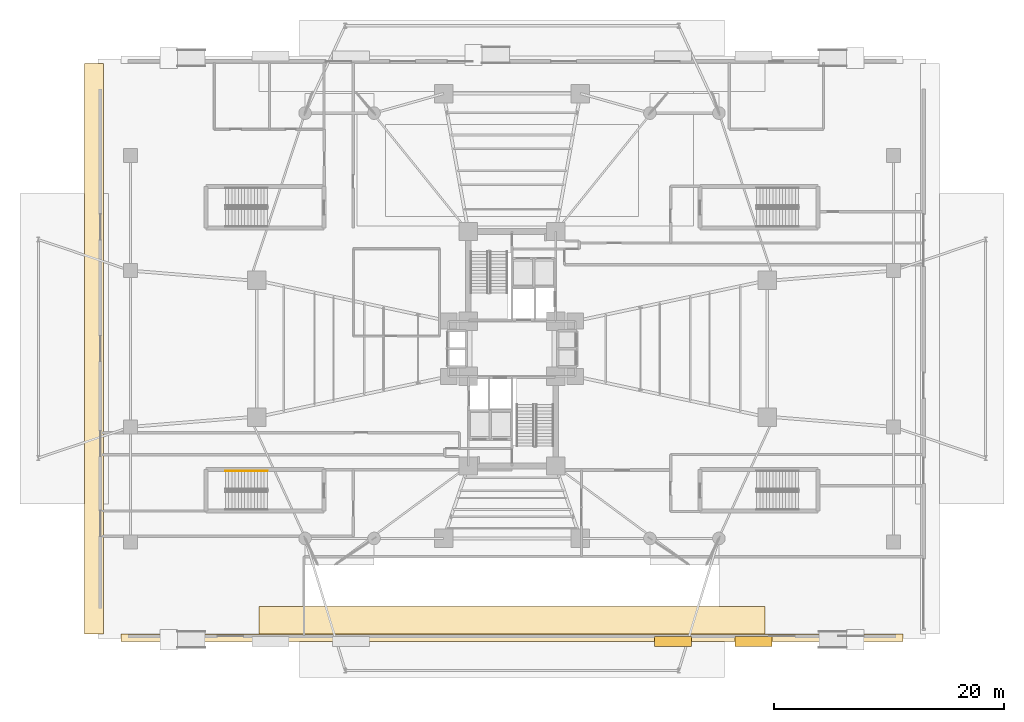
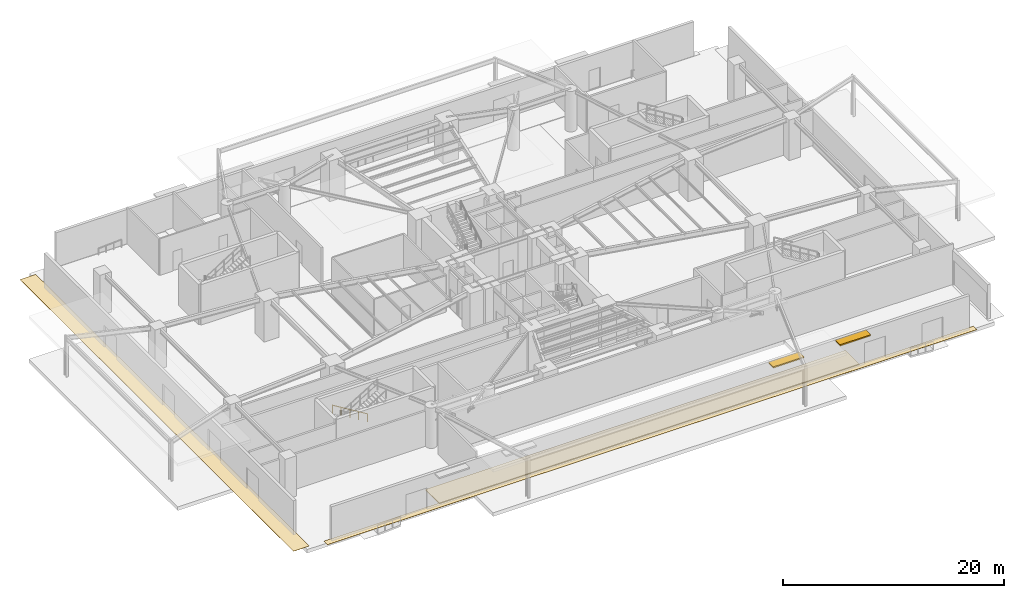
# One storey, part 23 of 31: 3 coverings, 2 shading devices, 1 railing.
"""IFC4 building model written with IfcOpenShell, lengths in metres."""

from ifc_helpers import new_model, si_unit, direction, frame, origin, origin_2d, place, context, subcontext, project, spatial, polyline, rectangle, circle, outline, extrude, source, transform, mapped, material, layer, layer_set, type_object, element, save


model = new_model("IFC4")

# Units and contexts
model_context = context("Model", 3, precision=1e-05, world=origin(), true_north=direction((0.0, 1.0)))
body_context = subcontext(model_context, "Body", "Model", "MODEL_VIEW")
ifc_project = project(units=[si_unit("LENGTHUNIT", "METRE"), si_unit("AREAUNIT", "SQUARE_METRE"), si_unit("VOLUMEUNIT", "CUBIC_METRE"), si_unit("PLANEANGLEUNIT", "RADIAN"), si_unit("MASSUNIT", "GRAM", prefix="KILO")], contexts=[model_context])

# Site, building, storey
site_placement = place(None, origin())
site = spatial("IfcSite", under=ifc_project, at=site_placement, CompositionType="ELEMENT")
building_placement = place(site_placement, origin())
building = spatial("IfcBuilding", under=site, at=building_placement, Name="Sahyath Konkavel Grand Hotel", CompositionType="ELEMENT")
storey_placement = place(building_placement, origin())
storey = spatial("IfcBuildingStorey", under=building, at=storey_placement, Name="L00", CompositionType="ELEMENT", Elevation=0.0)

# Coverings
ifc_material_1 = material(Name="Honed Deccan Basalt and Warm Sandstone Flooring", Category="masonry")
ifc_layer_1 = layer(ifc_material_1, 0.02001953125)
ifc_layer_set_1 = layer_set([ifc_layer_1], Name="Honed Deccan Basalt and Warm Sandstone Flooring")
covering_type_1 = type_object("IfcCoveringType", Name="COV-STONE-FLR", PredefinedType="FLOORING", material=ifc_layer_set_1)
covering_1_placement = place(storey_placement, frame((0.0, 0.0, -0.02001953125)))
element("IfcCovering", 1, at=covering_1_placement, inside=storey, type_object=covering_type_1, Name="L00 Exterior Sandstone Exit Apron South-Threshold", PredefinedType="FLOORING", context=body_context, shape_type="SweptSolid", body=[
    extrude(outline(polyline([(-34.0, -25.449951171875), (34.0, -25.449951171875), (34.0, -24.800048828125), (-34.0, -24.800048828125), (-34.0, -25.449951171875)])), origin(), (0.0, 0.0, 1.0), 0.02001953125),
])
covering_2_placement = place(storey_placement, frame((0.0, 0.0, -0.02001953125)))
element("IfcCovering", 2, at=covering_2_placement, inside=storey, type_object=covering_type_1, Name="L00 Exterior Sandstone Exit Apron West-Apron", PredefinedType="FLOORING", context=body_context, shape_type="SweptSolid", body=[
    extrude(outline(polyline([(-37.199951171875, -24.800048828125), (-35.550048828125, -24.800048828125), (-35.550048828125, 24.800048828125), (-37.199951171875, 24.800048828125), (-37.199951171875, -24.800048828125)])), origin(), (0.0, 0.0, 1.0), 0.02001953125),
])

# Railing
ifc_material_2 = material(Name="Anodised Bronze Aluminium", Category="aluminium")
railing_type = type_object("IfcRailingType", Name="RLG-STAIR-HND", PredefinedType="HANDRAIL", material=ifc_material_2)
railing_placement = place(storey_placement, frame((-21.2900390625, -10.6298828125, 0.17138671875)))
element("IfcRailing", 3, at=railing_placement, inside=storey, type_object=railing_type, Name="L00 ST-P3 stair handrail 1", PredefinedType="HANDRAIL", context=body_context, shape_type="SweptSolid", body=[
    extrude(circle(Radius=0.02392578125, at=origin_2d()), frame((-0.001708984375, 0.0, 0.876953125), z_axis=(-0.852850264322, 0.0, 0.5221555579), x_axis=(0.0, -1.0, 0.0)), (0.0, 0.0, 1.0), 4.263916015625),
    extrude(circle(Radius=0.02099609375, at=origin_2d()), origin(), (0.0, 0.0, 1.0), 0.851806640625),
    extrude(circle(Radius=0.02099609375, at=origin_2d()), frame((-0.909912109375, 0.0, 0.55712890625)), (0.0, 0.0, 1.0), 0.851806640625),
    extrude(circle(Radius=0.02099609375, at=origin_2d()), frame((-1.81982421875, 0.0, 1.1142578125)), (0.0, 0.0, 1.0), 0.851806640625),
    extrude(circle(Radius=0.02099609375, at=origin_2d()), frame((-2.72998046875, 0.0, 1.67138671875)), (0.0, 0.0, 1.0), 0.851806640625),
    extrude(circle(Radius=0.02099609375, at=origin_2d()), frame((-3.639892578125, 0.0, 2.228515625)), (0.0, 0.0, 1.0), 0.851806640625),
])

# Covering
ifc_material_3 = material(Name="Warm Buff Sandstone Paving", Category="masonry")
ifc_layer_2 = layer(ifc_material_3, 0.06005859375)
ifc_layer_set_2 = layer_set([ifc_layer_2], Name="Warm Buff Sandstone Paving")
covering_type_2 = type_object("IfcCoveringType", Name="SLB-PLAZA-PAVING", PredefinedType="FLOORING", material=ifc_layer_set_2)
covering_3_placement = place(storey_placement, origin())
element("IfcCovering", 4, at=covering_3_placement, inside=storey, type_object=covering_type_2, Name="Station Forecourt Sandstone Plaza South-Forecourt", PredefinedType="FLOORING", context=body_context, shape_type="SweptSolid", body=[
    extrude(outline(polyline([(-22.0, -24.89990234375), (22.0, -24.89990234375), (22.0, -22.39990234375), (-22.0, -22.39990234375), (-22.0, -24.89990234375)])), origin(), (0.0, 0.0, 1.0), 0.06005859375),
])

# Shading devices
ifc_material_4 = material(Name="Warm Buff Sandstone Cladding", Category="masonry")
ifc_layer_3 = layer(ifc_material_4, 0.139892578125)
ifc_layer_set_3 = layer_set([ifc_layer_3], Name="Warm Buff Sandstone Cladding")
shading_device_type = type_object("IfcShadingDeviceType", Name="SHD-STONE-BROW", PredefinedType="AWNING", material=ifc_layer_set_3)
shared_shape = source(origin(), body_context, "Body", "SweptSolid", [
    extrude(rectangle(XDim=3.199951171875, YDim=0.89990234375, at=origin_2d()), origin(), (0.0, 0.0, 1.0), 0.139892578125),
])
for number, where, z_axis, x_axis, name in (
    (5, (14.0, -25.469970703125, 3.580078125), (0.0, 0.0, 1.0), (1.0, 0.0, 0.0), "L00 Sandstone Solar Overhang 3-S"),
    (6, (21.0, -25.469970703125, 3.580078125), (0.0, 0.0, 1.0), (1.0, 0.0, 0.0), "L00 Sandstone Solar Overhang 4-S"),
):
    element("IfcShadingDevice", number, at=place(storey_placement, frame(where, z_axis=z_axis, x_axis=x_axis)), inside=storey, type_object=shading_device_type, Name=name, PredefinedType="AWNING", context=body_context, shape_type="MappedRepresentation", body=[
        mapped(shared_shape, transform((0.0, 0.0, 0.0), scale=1.0)),
    ])

save(model, "model.ifc")
